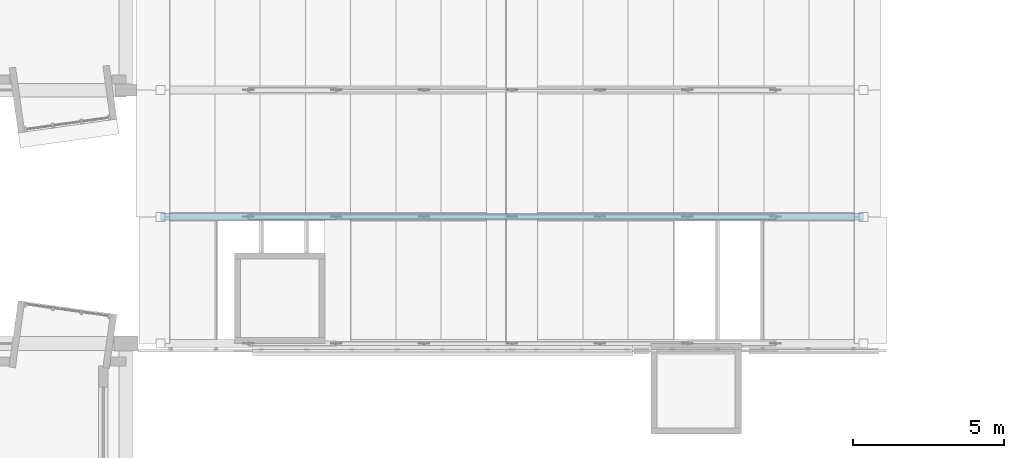
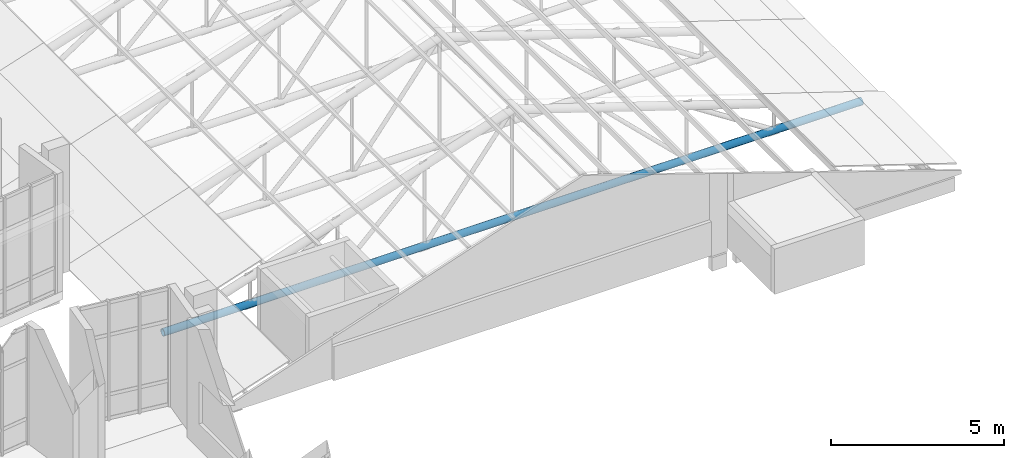
# One storey, part 9 of 95: 1 member.
"""IFC4 building model written with IfcOpenShell, lengths in metres."""

from ifc_helpers import new_model, si_unit, direction, frame, origin, origin_2d, place, context, subcontext, project, spatial, hollow_circle, extrude, material, material_profile, profile_set, type_object, element, save


model = new_model("IFC4")

# Units and contexts
model_context = context("Model", 3, precision=1e-05, world=origin(), true_north=direction((0.0, 1.0)))
body_context = subcontext(model_context, "Body", "Model", "MODEL_VIEW")
ifc_project = project(units=[si_unit("LENGTHUNIT", "METRE"), si_unit("AREAUNIT", "SQUARE_METRE"), si_unit("VOLUMEUNIT", "CUBIC_METRE"), si_unit("PLANEANGLEUNIT", "RADIAN"), si_unit("MASSUNIT", "GRAM", prefix="KILO")], contexts=[model_context])

# Site, building, storey
site_placement = place(None, origin())
site = spatial("IfcSite", under=ifc_project, at=site_placement, CompositionType="ELEMENT")
building_placement = place(site_placement, origin())
building = spatial("IfcBuilding", under=site, at=building_placement, Name="Kiln Court Media Centre", CompositionType="ELEMENT")
storey_placement = place(building_placement, frame((0.0, 0.0, 24.60009765625)))
storey = spatial("IfcBuildingStorey", under=building, at=storey_placement, Name="L05", CompositionType="ELEMENT", Elevation=24.60009765625)

# Member
ifc_material = material(Name="Steel ASTM A500 Gr C", Category="steel")
ifc_material_profile = material_profile(ifc_material, hollow_circle(Radius=0.122314453125, WallThickness=0.010009765625, at=origin_2d()), Name="CHS 244.5x10.0")
ifc_profile_set = profile_set([ifc_material_profile], Name="Steel ASTM A500 Gr C")
member_type = type_object("IfcMemberType", Name="Steel ASTM A500 Gr C CHS 244.5x10.0 truss chord", PredefinedType="CHORD", material=ifc_profile_set)
member_placement = place(storey_placement, frame((34.75, 29.39990234375, -0.013916015625), z_axis=(1.0, 0.0, 0.0), x_axis=(0.0, 1.0, 0.0)))
element("IfcMember", 1, at=member_placement, inside=storey, type_object=member_type, Name="foyer truss FT-02 bottom chord truss chord", PredefinedType="CHORD", context=body_context, shape_type="SweptSolid", body=[
    extrude(hollow_circle(Radius=0.122314453125, WallThickness=0.010009765625, at=origin_2d()), origin(), (0.0, 0.0, 1.0), 23.300048828125),
])

save(model, "model.ifc")
